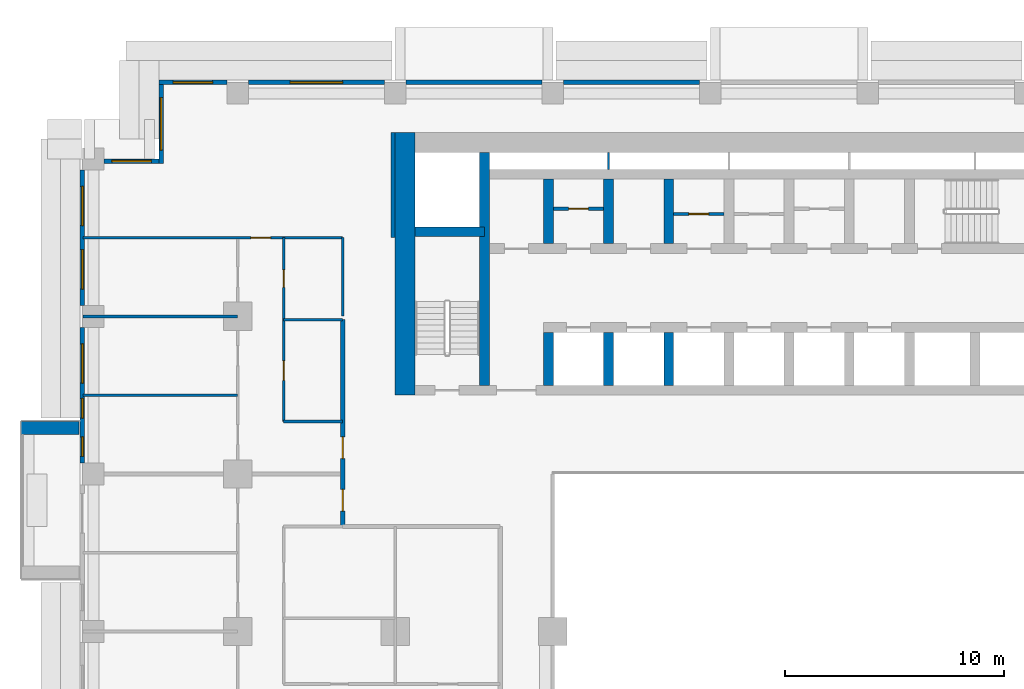
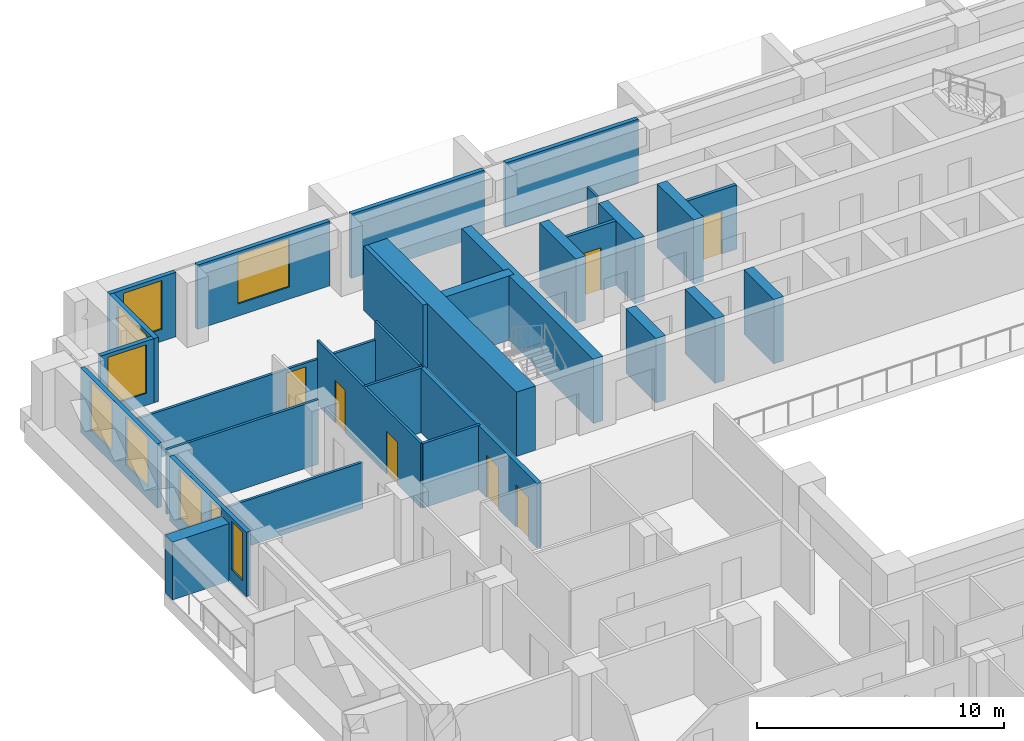
# One storey, part 9 of 17: 30 walls, 9 windows, 7 doors, 16 openings.
"""IFC4 building model written with IfcOpenShell, lengths in metres."""

from ifc_helpers import new_model, si_unit, direction, frame, frame_2d, origin, place, context, subcontext, project, spatial, rectangle, extrude, material, layer, layer_set, type_object, element, fill, save


model = new_model("IFC4")

# Units and contexts
model_context = context("Model", 3, precision=1e-05, world=origin(), true_north=direction((0.0, 1.0)))
body_context = subcontext(model_context, "Body", "Model", "MODEL_VIEW")
ifc_project = project(units=[si_unit("LENGTHUNIT", "METRE"), si_unit("AREAUNIT", "SQUARE_METRE"), si_unit("VOLUMEUNIT", "CUBIC_METRE"), si_unit("PLANEANGLEUNIT", "RADIAN"), si_unit("MASSUNIT", "GRAM", prefix="KILO")], contexts=[model_context])

# Site, building, storey
site_placement = place(None, origin())
site = spatial("IfcSite", under=ifc_project, at=site_placement, CompositionType="ELEMENT")
building_placement = place(site_placement, origin())
building = spatial("IfcBuilding", under=site, at=building_placement, Name="Saffron Iwan Residences", CompositionType="ELEMENT")
storey_placement = place(building_placement, frame((0.0, 0.0, 72.5)))
storey = spatial("IfcBuildingStorey", under=building, at=storey_placement, Name="L18", CompositionType="ELEMENT", Elevation=72.5)

# Wall
ifc_material_1 = material(Name="Concrete C50/60 white painted", Category="concrete")
ifc_layer_1 = layer(ifc_material_1, 0.60009765625)
ifc_layer_set_1 = layer_set([ifc_layer_1], Name="Concrete C50/60 white painted")
wall_type_1 = type_object("IfcWallType", Name="BALCONY FIN 600", PredefinedType="SOLIDWALL", material=ifc_layer_set_1)
wall_1_placement = place(storey_placement, frame((14.35009765625, 64.5, 0.0), z_axis=(0.0, 0.0, 1.0), x_axis=(-1.0, 0.0, 0.0)))
element("IfcWall", 1, at=wall_1_placement, inside=storey, type_object=wall_type_1, Name="Balcony fin L18 F8-0a", PredefinedType="SOLIDWALL", context=body_context, shape_type="SweptSolid", body=[
    extrude(rectangle(XDim=2.650146484375, YDim=0.60009765625, at=frame_2d((1.3251953125, 0.0))), origin(), (0.0, 0.0, 1.0), 2.85009765625),
])

# Wall, opening, door
ifc_material_2 = material(Name="Fire-rated plasterboard partition")
ifc_layer_2 = layer(ifc_material_2, 0.14990234375)
ifc_layer_set_2 = layer_set([ifc_layer_2], Name="Fire-rated plasterboard partition")
wall_type_2 = type_object("IfcWallType", Name="Core partition 150", PredefinedType="PARTITIONING", material=ifc_layer_set_2)
wall_2_placement = place(storey_placement, frame((36.02490234375, 74.51806640625, 0.0), z_axis=(0.0, 0.0, 1.0), x_axis=(1.0, 0.0, 0.0)))
wall_2 = element("IfcWall", 2, at=wall_2_placement, inside=storey, type_object=wall_type_2, Name="Core partition P01", PredefinedType="PARTITIONING", context=body_context, shape_type="SweptSolid", body=[
    extrude(rectangle(XDim=2.300048828125, YDim=0.14990234375, at=frame_2d((1.14990234375, 0.0))), origin(), (0.0, 0.0, 1.0), 3.179931640625),
])
opening_1_placement = place(wall_2_placement, frame((0.699951171875, 0.0, 0.0)))
opening_1 = element("IfcOpeningElement", 3, at=opening_1_placement, cuts=wall_2, Name="Opening SB", PredefinedType="OPENING", context=body_context, shape_type="SweptSolid", body=[
    extrude(rectangle(XDim=0.89990234375, YDim=2.10009765625, at=frame_2d((0.449951171875, 1.050048828125))), frame((0.0, 0.0849609375, 0.0), z_axis=(0.0, -1.0, 0.0), x_axis=(1.0, 0.0, 0.0)), (0.0, 0.0, 1.0), 0.169921875),
])
ifc_material_3 = material(Name="Steel fire door", Category="steel")
door_type_1 = type_object("IfcDoorType", Name="Store door 900", OperationType="NOTDEFINED", PredefinedType="DOOR", material=ifc_material_3)
door_1_placement = place(opening_1_placement, origin())
door_1 = element("IfcDoor", 4, at=door_1_placement, inside=storey, type_object=door_type_1, Name="Door Equipment store", OperationType="SINGLE_SWING_RIGHT", OverallHeight=2.10009765625, OverallWidth=0.89990234375, PredefinedType="DOOR", context=body_context, shape_type="SweptSolid", body=[
    extrude(rectangle(XDim=0.89990234375, YDim=2.10009765625, at=frame_2d((0.449951171875, 1.050048828125))), frame((0.0, 0.02490234375, 0.0), z_axis=(0.0, -1.0, 0.0), x_axis=(1.0, 0.0, 0.0)), (0.0, 0.0, 1.0), 0.050048828125),
])
fill(opening_1, door_1)

wall_3_placement = place(storey_placement, frame((41.52490234375, 74.281982421875, 0.0), z_axis=(0.0, 0.0, 1.0), x_axis=(1.0, 0.0, 0.0)))
wall_3 = element("IfcWall", 5, at=wall_3_placement, inside=storey, type_object=wall_type_2, Name="Core partition P02", PredefinedType="PARTITIONING", context=body_context, shape_type="SweptSolid", body=[
    extrude(rectangle(XDim=2.300048828125, YDim=0.14990234375, at=frame_2d((1.14990234375, 0.0))), origin(), (0.0, 0.0, 1.0), 3.179931640625),
])
opening_2_placement = place(wall_3_placement, frame((0.699951171875, 0.0, 0.0)))
opening_2 = element("IfcOpeningElement", 6, at=opening_2_placement, cuts=wall_3, Name="Opening SB", PredefinedType="OPENING", context=body_context, shape_type="SweptSolid", body=[
    extrude(rectangle(XDim=0.89990234375, YDim=2.10009765625, at=frame_2d((0.449951171875, 1.050048828125))), frame((0.0, 0.0849609375, 0.0), z_axis=(0.0, -1.0, 0.0), x_axis=(1.0, 0.0, 0.0)), (0.0, 0.0, 1.0), 0.169921875),
])
door_2_placement = place(opening_2_placement, origin())
door_2 = element("IfcDoor", 7, at=door_2_placement, inside=storey, type_object=door_type_1, Name="Door Spares store", OperationType="SINGLE_SWING_LEFT", OverallHeight=2.10009765625, OverallWidth=0.89990234375, PredefinedType="DOOR", context=body_context, shape_type="SweptSolid", body=[
    extrude(rectangle(XDim=0.89990234375, YDim=2.10009765625, at=frame_2d((0.449951171875, 1.050048828125))), frame((0.0, 0.02490234375, 0.0), z_axis=(0.0, -1.0, 0.0), x_axis=(1.0, 0.0, 0.0)), (0.0, 0.0, 1.0), 0.050048828125),
])
fill(opening_2, door_2)

# Walls
ifc_material_4 = material(Name="Concrete C40/50", Category="concrete")
ifc_layer_3 = layer(ifc_material_4, 0.199951171875)
ifc_layer_set_3 = layer_set([ifc_layer_3], Name="Concrete C40/50")
wall_type_3 = type_object("IfcWallType", Name="EXTERNAL WALL 200", PredefinedType="SOLIDWALL", material=ifc_layer_set_3)
for number, where, z_axis, x_axis, name in (
    (8, (42.699951171875, 80.300048828125, 0.0), (0.0, 0.0, 1.0), (-1.0, 0.0, 0.0), "External wall L18 F5.6"),
    (9, (35.5, 80.300048828125, 0.0), (0.0, 0.0, 1.0), (-1.0, 0.0, 0.0), "External wall L18 F5.7"),
):
    element("IfcWall", number, at=place(storey_placement, frame(where, z_axis=z_axis, x_axis=x_axis)), inside=storey, type_object=wall_type_3, Name=name, PredefinedType="SOLIDWALL", context=body_context, shape_type="SweptSolid", body=[
        extrude(rectangle(XDim=6.199951171875, YDim=0.199951171875, at=frame_2d((3.10009765625, 0.0))), origin(), (0.0, 0.0, 1.0), 3.179931640625),
    ])

# Wall, opening, window
wall_4_placement = place(storey_placement, frame((28.300048828125, 80.300048828125, 0.0), z_axis=(0.0, 0.0, 1.0), x_axis=(-1.0, 0.0, 0.0)))
wall_4 = element("IfcWall", 10, at=wall_4_placement, inside=storey, type_object=wall_type_3, Name="External wall L18 F5.8", PredefinedType="SOLIDWALL", context=body_context, shape_type="SweptSolid", body=[
    extrude(rectangle(XDim=6.199951171875, YDim=0.199951171875, at=frame_2d((3.10009765625, 0.0))), origin(), (0.0, 0.0, 1.0), 3.179931640625),
])
opening_3_placement = place(wall_4_placement, frame((1.89990234375, 0.0, 0.60009765625)))
opening_3 = element("IfcOpeningElement", 11, at=opening_3_placement, cuts=wall_4, Name="Opening W1", PredefinedType="OPENING", context=body_context, shape_type="SweptSolid", body=[
    extrude(rectangle(XDim=2.39990234375, YDim=2.39990234375, at=frame_2d((1.199951171875, 1.199951171875))), frame((0.0, 0.10986328125, 0.0), z_axis=(0.0, -1.0, 0.0), x_axis=(1.0, 0.0, 0.0)), (0.0, 0.0, 1.0), 0.219970703125),
])
ifc_material_5 = material(Name="Clear glass, laminated double glazed", Category="glass")
window_type_1 = type_object("IfcWindowType", Name="WINDOW 2400 x 2400", PartitioningType="DOUBLE_PANEL_VERTICAL", PredefinedType="WINDOW", material=ifc_material_5)
window_1_placement = place(opening_3_placement, origin())
window_1 = element("IfcWindow", 12, at=window_1_placement, inside=storey, type_object=window_type_1, Name="Window L18 F5.0", OverallHeight=2.39990234375, OverallWidth=2.39990234375, PartitioningType="DOUBLE_PANEL_VERTICAL", PredefinedType="WINDOW", context=body_context, shape_type="SweptSolid", body=[
    extrude(rectangle(XDim=2.39990234375, YDim=2.39990234375, at=frame_2d((1.199951171875, 1.199951171875))), frame((0.0, 0.030029296875, 0.0), z_axis=(0.0, -1.0, 0.0), x_axis=(1.0, 0.0, 0.0)), (0.0, 0.0, 1.0), 0.06005859375),
])
fill(opening_3, window_1)

wall_5_placement = place(storey_placement, frame((21.10009765625, 80.300048828125, 0.0), z_axis=(0.0, 0.0, 1.0), x_axis=(-1.0, 0.0, 0.0)))
wall_5 = element("IfcWall", 13, at=wall_5_placement, inside=storey, type_object=wall_type_3, Name="External wall L18 F5.9", PredefinedType="SOLIDWALL", context=body_context, shape_type="SweptSolid", body=[
    extrude(rectangle(XDim=3.10009765625, YDim=0.199951171875, at=frame_2d((1.550048828125, 0.0))), origin(), (0.0, 0.0, 1.0), 3.179931640625),
])
opening_4_placement = place(wall_5_placement, frame((0.64990234375, 0.0, 0.60009765625)))
opening_4 = element("IfcOpeningElement", 14, at=opening_4_placement, cuts=wall_5, Name="Opening W8", PredefinedType="OPENING", context=body_context, shape_type="SweptSolid", body=[
    extrude(rectangle(XDim=1.800048828125, YDim=2.39990234375, at=frame_2d((0.89990234375, 1.199951171875))), frame((0.0, 0.10986328125, 0.0), z_axis=(0.0, -1.0, 0.0), x_axis=(1.0, 0.0, 0.0)), (0.0, 0.0, 1.0), 0.219970703125),
])
window_type_2 = type_object("IfcWindowType", Name="WINDOW 1800 x 2400", PartitioningType="DOUBLE_PANEL_VERTICAL", PredefinedType="WINDOW", material=ifc_material_5)
window_2_placement = place(opening_4_placement, origin())
window_2 = element("IfcWindow", 15, at=window_2_placement, inside=storey, type_object=window_type_2, Name="Window L18 F5.0", OverallHeight=2.39990234375, OverallWidth=1.800048828125, PartitioningType="DOUBLE_PANEL_VERTICAL", PredefinedType="WINDOW", context=body_context, shape_type="SweptSolid", body=[
    extrude(rectangle(XDim=1.800048828125, YDim=2.39990234375, at=frame_2d((0.89990234375, 1.199951171875))), frame((0.0, 0.030029296875, 0.0), z_axis=(0.0, -1.0, 0.0), x_axis=(1.0, 0.0, 0.0)), (0.0, 0.0, 1.0), 0.06005859375),
])
fill(opening_4, window_2)

wall_6_placement = place(storey_placement, frame((18.10009765625, 80.199951171875, 0.0), z_axis=(0.0, 0.0, 1.0), x_axis=(0.0, -1.0, 0.0)))
wall_6 = element("IfcWall", 16, at=wall_6_placement, inside=storey, type_object=wall_type_3, Name="External wall L18 F6.0", PredefinedType="SOLIDWALL", context=body_context, shape_type="SweptSolid", body=[
    extrude(rectangle(XDim=3.599853515625, YDim=0.199951171875, at=frame_2d((1.7998046875, 0.0))), origin(), (0.0, 0.0, 1.0), 3.179931640625),
])
opening_5_placement = place(wall_6_placement, frame((0.60009765625, 0.0, 0.60009765625)))
opening_5 = element("IfcOpeningElement", 17, at=opening_5_placement, cuts=wall_6, Name="Opening W1", PredefinedType="OPENING", context=body_context, shape_type="SweptSolid", body=[
    extrude(rectangle(XDim=2.39990234375, YDim=2.39990234375, at=frame_2d((1.199951171875, 1.199951171875))), frame((0.0, 0.10986328125, 0.0), z_axis=(0.0, -1.0, 0.0), x_axis=(1.0, 0.0, 0.0)), (0.0, 0.0, 1.0), 0.219970703125),
])
window_3_placement = place(opening_5_placement, origin())
window_3 = element("IfcWindow", 18, at=window_3_placement, inside=storey, type_object=window_type_1, Name="Window L18 F6.0", OverallHeight=2.39990234375, OverallWidth=2.39990234375, PartitioningType="DOUBLE_PANEL_VERTICAL", PredefinedType="WINDOW", context=body_context, shape_type="SweptSolid", body=[
    extrude(rectangle(XDim=2.39990234375, YDim=2.39990234375, at=frame_2d((1.199951171875, 1.199951171875))), frame((0.0, 0.030029296875, 0.0), z_axis=(0.0, -1.0, 0.0), x_axis=(1.0, 0.0, 0.0)), (0.0, 0.0, 1.0), 0.06005859375),
])
fill(opening_5, window_3)

wall_7_placement = place(storey_placement, frame((18.0, 76.699951171875, 0.0), z_axis=(0.0, 0.0, 1.0), x_axis=(-1.0, 0.0, 0.0)))
wall_7 = element("IfcWall", 19, at=wall_7_placement, inside=storey, type_object=wall_type_3, Name="External wall L18 F7.0", PredefinedType="SOLIDWALL", context=body_context, shape_type="SweptSolid", body=[
    extrude(rectangle(XDim=2.5, YDim=0.199951171875, at=frame_2d((1.25, 0.0))), origin(), (0.0, 0.0, 1.0), 3.179931640625),
])
opening_6_placement = place(wall_7_placement, frame((0.35009765625, 0.0, 0.60009765625)))
opening_6 = element("IfcOpeningElement", 20, at=opening_6_placement, cuts=wall_7, Name="Opening W8", PredefinedType="OPENING", context=body_context, shape_type="SweptSolid", body=[
    extrude(rectangle(XDim=1.800048828125, YDim=2.39990234375, at=frame_2d((0.89990234375, 1.199951171875))), frame((0.0, 0.10986328125, 0.0), z_axis=(0.0, -1.0, 0.0), x_axis=(1.0, 0.0, 0.0)), (0.0, 0.0, 1.0), 0.219970703125),
])
window_4_placement = place(opening_6_placement, origin())
window_4 = element("IfcWindow", 21, at=window_4_placement, inside=storey, type_object=window_type_2, Name="Window L18 F7.0", OverallHeight=2.39990234375, OverallWidth=1.800048828125, PartitioningType="DOUBLE_PANEL_VERTICAL", PredefinedType="WINDOW", context=body_context, shape_type="SweptSolid", body=[
    extrude(rectangle(XDim=1.800048828125, YDim=2.39990234375, at=frame_2d((0.89990234375, 1.199951171875))), frame((0.0, 0.030029296875, 0.0), z_axis=(0.0, -1.0, 0.0), x_axis=(1.0, 0.0, 0.0)), (0.0, 0.0, 1.0), 0.06005859375),
])
fill(opening_6, window_4)

# Wall, openings, windows
wall_8_placement = place(storey_placement, frame((14.5, 76.300048828125, 0.0), z_axis=(0.0, 0.0, 1.0), x_axis=(0.0, -1.0, 0.0)))
wall_8 = element("IfcWall", 22, at=wall_8_placement, inside=storey, type_object=wall_type_3, Name="External wall L18 F8.0", PredefinedType="SOLIDWALL", context=body_context, shape_type="SweptSolid", body=[
    extrude(rectangle(XDim=6.199951171875, YDim=0.199951171875, at=frame_2d((3.10009765625, 0.0))), origin(), (0.0, 0.0, 1.0), 3.179931640625),
])
opening_7_placement = place(wall_8_placement, frame((3.64990234375, 0.0, 0.60009765625)))
opening_7 = element("IfcOpeningElement", 23, at=opening_7_placement, cuts=wall_8, Name="Opening W8", PredefinedType="OPENING", context=body_context, shape_type="SweptSolid", body=[
    extrude(rectangle(XDim=1.800048828125, YDim=2.39990234375, at=frame_2d((0.89990234375, 1.199951171875))), frame((0.0, 0.10986328125, 0.0), z_axis=(0.0, -1.0, 0.0), x_axis=(1.0, 0.0, 0.0)), (0.0, 0.0, 1.0), 0.219970703125),
])
opening_8_placement = place(wall_8_placement, frame((0.75, 0.0, 0.60009765625)))
opening_8 = element("IfcOpeningElement", 24, at=opening_8_placement, cuts=wall_8, Name="Opening W8", PredefinedType="OPENING", context=body_context, shape_type="SweptSolid", body=[
    extrude(rectangle(XDim=1.800048828125, YDim=2.39990234375, at=frame_2d((0.89990234375, 1.199951171875))), frame((0.0, 0.10986328125, 0.0), z_axis=(0.0, -1.0, 0.0), x_axis=(1.0, 0.0, 0.0)), (0.0, 0.0, 1.0), 0.219970703125),
])
window_5_placement = place(opening_7_placement, origin())
window_5 = element("IfcWindow", 25, at=window_5_placement, inside=storey, type_object=window_type_2, Name="Window L18 F8.0", OverallHeight=2.39990234375, OverallWidth=1.800048828125, PartitioningType="DOUBLE_PANEL_VERTICAL", PredefinedType="WINDOW", context=body_context, shape_type="SweptSolid", body=[
    extrude(rectangle(XDim=1.800048828125, YDim=2.39990234375, at=frame_2d((0.89990234375, 1.199951171875))), frame((0.0, 0.030029296875, 0.0), z_axis=(0.0, -1.0, 0.0), x_axis=(1.0, 0.0, 0.0)), (0.0, 0.0, 1.0), 0.06005859375),
])
fill(opening_7, window_5)
window_6_placement = place(opening_8_placement, origin())
window_6 = element("IfcWindow", 26, at=window_6_placement, inside=storey, type_object=window_type_2, Name="Window L18 F8.1", OverallHeight=2.39990234375, OverallWidth=1.800048828125, PartitioningType="DOUBLE_PANEL_VERTICAL", PredefinedType="WINDOW", context=body_context, shape_type="SweptSolid", body=[
    extrude(rectangle(XDim=1.800048828125, YDim=2.39990234375, at=frame_2d((0.89990234375, 1.199951171875))), frame((0.0, 0.030029296875, 0.0), z_axis=(0.0, -1.0, 0.0), x_axis=(1.0, 0.0, 0.0)), (0.0, 0.0, 1.0), 0.06005859375),
])
fill(opening_8, window_6)

wall_9_placement = place(storey_placement, frame((14.5, 69.10009765625, 0.0), z_axis=(0.0, 0.0, 1.0), x_axis=(0.0, -1.0, 0.0)))
wall_9 = element("IfcWall", 27, at=wall_9_placement, inside=storey, type_object=wall_type_3, Name="External wall L18 F8.1", PredefinedType="SOLIDWALL", context=body_context, shape_type="SweptSolid", body=[
    extrude(rectangle(XDim=6.2001953125, YDim=0.199951171875, at=frame_2d((3.10009765625, 0.0))), origin(), (0.0, 0.0, 1.0), 3.179931640625),
])
opening_9_placement = place(wall_9_placement, frame((3.25, 0.0, 0.60009765625)))
opening_9 = element("IfcOpeningElement", 28, at=opening_9_placement, cuts=wall_9, Name="Opening W10", PredefinedType="OPENING", context=body_context, shape_type="SweptSolid", body=[
    extrude(rectangle(XDim=0.89990234375, YDim=2.39990234375, at=frame_2d((0.449951171875, 1.199951171875))), frame((0.0, 0.10986328125, 0.0), z_axis=(0.0, -1.0, 0.0), x_axis=(1.0, 0.0, 0.0)), (0.0, 0.0, 1.0), 0.219970703125),
])
opening_10_placement = place(wall_9_placement, frame((5.0, 0.0, 0.60009765625)))
opening_10 = element("IfcOpeningElement", 29, at=opening_10_placement, cuts=wall_9, Name="Opening W10", PredefinedType="OPENING", context=body_context, shape_type="SweptSolid", body=[
    extrude(rectangle(XDim=0.89990234375, YDim=2.39990234375, at=frame_2d((0.449951171875, 1.199951171875))), frame((0.0, 0.10986328125, 0.0), z_axis=(0.0, -1.0, 0.0), x_axis=(1.0, 0.0, 0.0)), (0.0, 0.0, 1.0), 0.219970703125),
])
opening_11_placement = place(wall_9_placement, frame((0.75, 0.0, 0.60009765625)))
opening_11 = element("IfcOpeningElement", 30, at=opening_11_placement, cuts=wall_9, Name="Opening W8", PredefinedType="OPENING", context=body_context, shape_type="SweptSolid", body=[
    extrude(rectangle(XDim=1.800048828125, YDim=2.39990234375, at=frame_2d((0.89990234375, 1.199951171875))), frame((0.0, 0.10986328125, 0.0), z_axis=(0.0, -1.0, 0.0), x_axis=(1.0, 0.0, 0.0)), (0.0, 0.0, 1.0), 0.219970703125),
])
window_7_placement = place(opening_11_placement, origin())
window_7 = element("IfcWindow", 31, at=window_7_placement, inside=storey, type_object=window_type_2, Name="Window L18 F8.2", OverallHeight=2.39990234375, OverallWidth=1.800048828125, PartitioningType="DOUBLE_PANEL_VERTICAL", PredefinedType="WINDOW", context=body_context, shape_type="SweptSolid", body=[
    extrude(rectangle(XDim=1.800048828125, YDim=2.39990234375, at=frame_2d((0.89990234375, 1.199951171875))), frame((0.0, 0.030029296875, 0.0), z_axis=(0.0, -1.0, 0.0), x_axis=(1.0, 0.0, 0.0)), (0.0, 0.0, 1.0), 0.06005859375),
])
fill(opening_11, window_7)
window_type_3 = type_object("IfcWindowType", Name="WINDOW 900 x 2400", PartitioningType="SINGLE_PANEL", PredefinedType="WINDOW", material=ifc_material_5)
window_8_placement = place(opening_9_placement, origin())
window_8 = element("IfcWindow", 32, at=window_8_placement, inside=storey, type_object=window_type_3, Name="Window L18 F8.0", OverallHeight=2.39990234375, OverallWidth=0.89990234375, PartitioningType="SINGLE_PANEL", PredefinedType="WINDOW", context=body_context, shape_type="SweptSolid", body=[
    extrude(rectangle(XDim=0.89990234375, YDim=2.39990234375, at=frame_2d((0.449951171875, 1.199951171875))), frame((0.0, 0.030029296875, 0.0), z_axis=(0.0, -1.0, 0.0), x_axis=(1.0, 0.0, 0.0)), (0.0, 0.0, 1.0), 0.06005859375),
])
fill(opening_9, window_8)
window_9_placement = place(opening_10_placement, origin())
window_9 = element("IfcWindow", 33, at=window_9_placement, inside=storey, type_object=window_type_3, Name="Window L18 F8.1", OverallHeight=2.39990234375, OverallWidth=0.89990234375, PartitioningType="SINGLE_PANEL", PredefinedType="WINDOW", context=body_context, shape_type="SweptSolid", body=[
    extrude(rectangle(XDim=0.89990234375, YDim=2.39990234375, at=frame_2d((0.449951171875, 1.199951171875))), frame((0.0, 0.030029296875, 0.0), z_axis=(0.0, -1.0, 0.0), x_axis=(1.0, 0.0, 0.0)), (0.0, 0.0, 1.0), 0.06005859375),
])
fill(opening_10, window_9)

# Walls
ifc_material_6 = material(Name="Gypsum board partition")
ifc_layer_4 = layer(ifc_material_6, 0.1201171875)
ifc_layer_set_4 = layer_set([ifc_layer_4], Name="Gypsum board partition")
wall_type_4 = type_object("IfcWallType", Name="Flat partition 120", PredefinedType="PARTITIONING", material=ifc_layer_set_4)
wall_10_placement = place(storey_placement, frame((23.699951171875, 64.800048828125, 0.0), z_axis=(0.0, 0.0, 1.0), x_axis=(1.0, 0.0, 0.0)))
element("IfcWall", 34, at=wall_10_placement, inside=storey, type_object=wall_type_4, Name="W-L18-PART-h64.8-23.7", PredefinedType="PARTITIONING", context=body_context, shape_type="SweptSolid", body=[
    extrude(rectangle(XDim=2.699951171875, YDim=0.1201171875, at=frame_2d((1.35009765625, 0.0))), origin(), (0.0, 0.0, 1.0), 3.179931640625),
])
wall_11_placement = place(storey_placement, frame((14.52490234375, 66.0, 0.0), z_axis=(0.0, 0.0, 1.0), x_axis=(1.0, 0.0, 0.0)))
element("IfcWall", 35, at=wall_11_placement, inside=storey, type_object=wall_type_4, Name="W-L18-PART-h66-14.525", PredefinedType="PARTITIONING", context=body_context, shape_type="SweptSolid", body=[
    extrude(rectangle(XDim=7.0751953125, YDim=0.1201171875, at=frame_2d((3.53759765625, 0.0))), origin(), (0.0, 0.0, 1.0), 2.280029296875),
])
wall_12_placement = place(storey_placement, frame((23.699951171875, 69.449951171875, 0.0), z_axis=(0.0, 0.0, 1.0), x_axis=(1.0, 0.0, 0.0)))
element("IfcWall", 36, at=wall_12_placement, inside=storey, type_object=wall_type_4, Name="W-L18-PART-h69.45-23.7", PredefinedType="PARTITIONING", context=body_context, shape_type="SweptSolid", body=[
    extrude(rectangle(XDim=2.699951171875, YDim=0.1201171875, at=frame_2d((1.35009765625, 0.0))), origin(), (0.0, 0.0, 1.0), 3.179931640625),
])
wall_13_placement = place(storey_placement, frame((14.52490234375, 69.60009765625, 0.0), z_axis=(0.0, 0.0, 1.0), x_axis=(1.0, 0.0, 0.0)))
element("IfcWall", 37, at=wall_13_placement, inside=storey, type_object=wall_type_4, Name="W-L18-PART-h69.6-14.525", PredefinedType="PARTITIONING", context=body_context, shape_type="SweptSolid", body=[
    extrude(rectangle(XDim=7.0751953125, YDim=0.1201171875, at=frame_2d((3.53759765625, 0.0))), origin(), (0.0, 0.0, 1.0), 3.179931640625),
])

# Wall, opening, door
wall_14_placement = place(storey_placement, frame((14.52490234375, 73.199951171875, 0.0), z_axis=(0.0, 0.0, 1.0), x_axis=(1.0, 0.0, 0.0)))
wall_14 = element("IfcWall", 38, at=wall_14_placement, inside=storey, type_object=wall_type_4, Name="W-L18-PART-h73.2-14.525", PredefinedType="PARTITIONING", context=body_context, shape_type="SweptSolid", body=[
    extrude(rectangle(XDim=11.875, YDim=0.1201171875, at=frame_2d((5.9375, 0.0))), origin(), (0.0, 0.0, 1.0), 2.280029296875),
])
opening_12_placement = place(wall_14_placement, frame((7.675048828125, 0.0, 0.0)))
opening_12 = element("IfcOpeningElement", 39, at=opening_12_placement, cuts=wall_14, Name="Opening FD2", PredefinedType="OPENING", context=body_context, shape_type="SweptSolid", body=[
    extrude(rectangle(XDim=0.89990234375, YDim=2.10009765625, at=frame_2d((0.449951171875, 1.050048828125))), frame((0.0, 0.070068359375, 0.0), z_axis=(0.0, -1.0, 0.0), x_axis=(1.0, 0.0, 0.0)), (0.0, 0.0, 1.0), 0.14013671875),
])
ifc_material_7 = material(Name="Timber door", Category="wood")
door_type_2 = type_object("IfcDoorType", Name="Flat door 900", OperationType="NOTDEFINED", PredefinedType="DOOR", material=ifc_material_7)
door_3_placement = place(opening_12_placement, origin())
door_3 = element("IfcDoor", 40, at=door_3_placement, inside=storey, type_object=door_type_2, Name="Door L18-033", OperationType="SINGLE_SWING_LEFT", OverallHeight=2.10009765625, OverallWidth=0.89990234375, PredefinedType="DOOR", context=body_context, shape_type="SweptSolid", body=[
    extrude(rectangle(XDim=0.89990234375, YDim=2.10009765625, at=frame_2d((0.449951171875, 1.050048828125))), frame((0.0, 0.02490234375, 0.0), z_axis=(0.0, -1.0, 0.0), x_axis=(1.0, 0.0, 0.0)), (0.0, 0.0, 1.0), 0.050048828125),
])
fill(opening_12, door_3)

# Wall, openings, doors
wall_15_placement = place(storey_placement, frame((23.699951171875, 64.800048828125, 0.0), z_axis=(0.0, 0.0, 1.0), x_axis=(0.0, 1.0, 0.0)))
wall_15 = element("IfcWall", 41, at=wall_15_placement, inside=storey, type_object=wall_type_4, Name="W-L18-PART-v23.7-64.8", PredefinedType="PARTITIONING", context=body_context, shape_type="SweptSolid", body=[
    extrude(rectangle(XDim=8.39990234375, YDim=0.1201171875, at=frame_2d((4.199951171875, 0.0))), origin(), (0.0, 0.0, 1.0), 3.179931640625),
])
opening_13_placement = place(wall_15_placement, frame((1.875, 0.0, 0.0)))
opening_13 = element("IfcOpeningElement", 42, at=opening_13_placement, cuts=wall_15, Name="Opening FD2", PredefinedType="OPENING", context=body_context, shape_type="SweptSolid", body=[
    extrude(rectangle(XDim=0.89990234375, YDim=2.10009765625, at=frame_2d((0.449951171875, 1.050048828125))), frame((0.0, 0.070068359375, 0.0), z_axis=(0.0, -1.0, 0.0), x_axis=(1.0, 0.0, 0.0)), (0.0, 0.0, 1.0), 0.14013671875),
])
opening_14_placement = place(wall_15_placement, frame((6.125, 0.0, 0.0)))
opening_14 = element("IfcOpeningElement", 43, at=opening_14_placement, cuts=wall_15, Name="Opening FD3", PredefinedType="OPENING", context=body_context, shape_type="SweptSolid", body=[
    extrude(rectangle(XDim=0.800048828125, YDim=2.10009765625, at=frame_2d((0.39990234375, 1.050048828125))), frame((0.0, 0.070068359375, 0.0), z_axis=(0.0, -1.0, 0.0), x_axis=(1.0, 0.0, 0.0)), (0.0, 0.0, 1.0), 0.14013671875),
])
door_type_3 = type_object("IfcDoorType", Name="Bathroom door 800", OperationType="NOTDEFINED", PredefinedType="DOOR", material=ifc_material_7)
door_4_placement = place(opening_14_placement, origin())
door_4 = element("IfcDoor", 44, at=door_4_placement, inside=storey, type_object=door_type_3, Name="Door L18-035", OperationType="SINGLE_SWING_LEFT", OverallHeight=2.10009765625, OverallWidth=0.800048828125, PredefinedType="DOOR", context=body_context, shape_type="SweptSolid", body=[
    extrude(rectangle(XDim=0.800048828125, YDim=2.10009765625, at=frame_2d((0.39990234375, 1.050048828125))), frame((0.0, 0.02490234375, 0.0), z_axis=(0.0, -1.0, 0.0), x_axis=(1.0, 0.0, 0.0)), (0.0, 0.0, 1.0), 0.050048828125),
])
fill(opening_14, door_4)
door_5_placement = place(opening_13_placement, origin())
door_5 = element("IfcDoor", 45, at=door_5_placement, inside=storey, type_object=door_type_2, Name="Door L18-034", OperationType="SINGLE_SWING_RIGHT", OverallHeight=2.10009765625, OverallWidth=0.89990234375, PredefinedType="DOOR", context=body_context, shape_type="SweptSolid", body=[
    extrude(rectangle(XDim=0.89990234375, YDim=2.10009765625, at=frame_2d((0.449951171875, 1.050048828125))), frame((0.0, 0.02490234375, 0.0), z_axis=(0.0, -1.0, 0.0), x_axis=(1.0, 0.0, 0.0)), (0.0, 0.0, 1.0), 0.050048828125),
])
fill(opening_13, door_5)

# Wall
wall_16_placement = place(storey_placement, frame((26.39990234375, 69.6201171875, 0.0), z_axis=(0.0, 0.0, 1.0), x_axis=(0.0, 1.0, 0.0)))
element("IfcWall", 46, at=wall_16_placement, inside=storey, type_object=wall_type_4, Name="W-L18-PART-v26.4-69.62", PredefinedType="PARTITIONING", context=body_context, shape_type="SweptSolid", body=[
    extrude(rectangle(XDim=3.579833984375, YDim=0.1201171875, at=frame_2d((1.7900390625, 0.0))), origin(), (0.0, 0.0, 1.0), 3.179931640625),
])

# Wall, openings, doors
ifc_material_8 = material(Name="Fire-rated gypsum board wall")
ifc_layer_5 = layer(ifc_material_8, 0.199951171875)
ifc_layer_set_5 = layer_set([ifc_layer_5], Name="Fire-rated gypsum board wall")
wall_type_5 = type_object("IfcWallType", Name="Gallery wall 200", PredefinedType="SOLIDWALL", material=ifc_layer_set_5)
wall_17_placement = place(storey_placement, frame((26.39990234375, 60.0, 0.0), z_axis=(0.0, 0.0, 1.0), x_axis=(0.0, 1.0, 0.0)))
wall_17 = element("IfcWall", 47, at=wall_17_placement, inside=storey, type_object=wall_type_5, Name="W-L18-CORR-v26.4-60", PredefinedType="SOLIDWALL", context=body_context, shape_type="SweptSolid", body=[
    extrude(rectangle(XDim=9.449951171875, YDim=0.199951171875, at=frame_2d((4.72509765625, 0.0))), origin(), (0.0, 0.0, 1.0), 3.179931640625),
])
opening_15_placement = place(wall_17_placement, frame((0.699951171875, 0.0, 0.0)))
opening_15 = element("IfcOpeningElement", 48, at=opening_15_placement, cuts=wall_17, Name="Opening FD1", PredefinedType="OPENING", context=body_context, shape_type="SweptSolid", body=[
    extrude(rectangle(XDim=1.0, YDim=2.10009765625, at=frame_2d((0.5, 1.050048828125))), frame((0.0, 0.10986328125, 0.0), z_axis=(0.0, -1.0, 0.0), x_axis=(1.0, 0.0, 0.0)), (0.0, 0.0, 1.0), 0.219970703125),
])
opening_16_placement = place(wall_17_placement, frame((3.10009765625, 0.0, 0.0)))
opening_16 = element("IfcOpeningElement", 49, at=opening_16_placement, cuts=wall_17, Name="Opening FD1", PredefinedType="OPENING", context=body_context, shape_type="SweptSolid", body=[
    extrude(rectangle(XDim=1.0, YDim=2.10009765625, at=frame_2d((0.5, 1.050048828125))), frame((0.0, 0.10986328125, 0.0), z_axis=(0.0, -1.0, 0.0), x_axis=(1.0, 0.0, 0.0)), (0.0, 0.0, 1.0), 0.219970703125),
])
ifc_material_9 = material(Name="Fire-rated timber door", Category="wood")
door_type_4 = type_object("IfcDoorType", Name="FD30S flat entrance door 1000", OperationType="NOTDEFINED", PredefinedType="DOOR", material=ifc_material_9)
door_6_placement = place(opening_15_placement, origin())
door_6 = element("IfcDoor", 50, at=door_6_placement, inside=storey, type_object=door_type_4, Name="Door L18-013", OperationType="SINGLE_SWING_RIGHT", OverallHeight=2.10009765625, OverallWidth=1.0, PredefinedType="DOOR", context=body_context, shape_type="SweptSolid", body=[
    extrude(rectangle(XDim=1.0, YDim=2.10009765625, at=frame_2d((0.5, 1.050048828125))), frame((0.0, 0.02490234375, 0.0), z_axis=(0.0, -1.0, 0.0), x_axis=(1.0, 0.0, 0.0)), (0.0, 0.0, 1.0), 0.050048828125),
])
fill(opening_15, door_6)
door_7_placement = place(opening_16_placement, origin())
door_7 = element("IfcDoor", 51, at=door_7_placement, inside=storey, type_object=door_type_4, Name="Door L18-029", OperationType="SINGLE_SWING_LEFT", OverallHeight=2.10009765625, OverallWidth=1.0, PredefinedType="DOOR", context=body_context, shape_type="SweptSolid", body=[
    extrude(rectangle(XDim=1.0, YDim=2.10009765625, at=frame_2d((0.5, 1.050048828125))), frame((0.0, 0.02490234375, 0.0), z_axis=(0.0, -1.0, 0.0), x_axis=(1.0, 0.0, 0.0)), (0.0, 0.0, 1.0), 0.050048828125),
])
fill(opening_16, door_7)

# Walls
wall_18_placement = place(storey_placement, frame((28.699951171875, 73.199951171875, 0.0), z_axis=(0.0, 0.0, 1.0), x_axis=(0.0, 1.0, 0.0)))
element("IfcWall", 52, at=wall_18_placement, inside=storey, type_object=wall_type_5, Name="W-L18-CORR-v28.8-73.2", PredefinedType="SOLIDWALL", context=body_context, shape_type="SweptSolid", body=[
    extrude(rectangle(XDim=4.800048828125, YDim=0.199951171875, at=frame_2d((2.39990234375, 0.0))), origin(), (0.0, 0.0, 1.0), 3.179931640625),
])
ifc_layer_6 = layer(ifc_material_2, 0.10009765625)
ifc_layer_set_6 = layer_set([ifc_layer_6], Name="Fire-rated plasterboard partition")
wall_type_6 = type_object("IfcWallType", Name="Riser partition 100", PredefinedType="PARTITIONING", material=ifc_layer_set_6)
wall_19_placement = place(storey_placement, frame((38.550048828125, 76.324951171875, 0.0), z_axis=(0.0, 0.0, 1.0), x_axis=(0.0, 1.0, 0.0)))
element("IfcWall", 53, at=wall_19_placement, inside=storey, type_object=wall_type_6, Name="Core partition P05", PredefinedType="PARTITIONING", context=body_context, shape_type="SweptSolid", body=[
    extrude(rectangle(XDim=0.775146484375, YDim=0.10009765625, at=frame_2d((0.3876953125, 0.0))), origin(), (0.0, 0.0, 1.0), 3.179931640625),
])
ifc_material_10 = material(Name="Concrete C60/75", Category="concrete")
ifc_layer_7 = layer(ifc_material_10, 0.449951171875)
ifc_layer_set_7 = layer_set([ifc_layer_7], Name="Concrete C60/75")
wall_type_7 = type_object("IfcWallType", Name="WALL CORE 450 C60/75 3180 HIGH", PredefinedType="SHEAR", material=ifc_layer_set_7)
wall_20_placement = place(storey_placement, frame((29.699951171875, 73.47509765625, 0.0), z_axis=(0.0, 0.0, 1.0), x_axis=(1.0, 0.0, 0.0)))
element("IfcWall", 54, at=wall_20_placement, inside=storey, type_object=wall_type_7, Name="Core wall", PredefinedType="SHEAR", context=body_context, shape_type="SweptSolid", body=[
    extrude(rectangle(XDim=3.175048828125, YDim=0.449951171875, at=frame_2d((1.58740234375, 0.0))), origin(), (0.0, 0.0, 1.0), 3.179931640625),
])
wall_21_placement = place(storey_placement, frame((32.875, 66.449951171875, 0.0), z_axis=(0.0, 0.0, 1.0), x_axis=(0.0, 1.0, 0.0)))
element("IfcWall", 55, at=wall_21_placement, inside=storey, type_object=wall_type_7, Name="Core wall", PredefinedType="SHEAR", context=body_context, shape_type="SweptSolid", body=[
    extrude(rectangle(XDim=10.650146484375, YDim=0.449951171875, at=frame_2d((5.3251953125, 0.0))), origin(), (0.0, 0.0, 1.0), 3.179931640625),
])
for number, where, z_axis, x_axis, name in (
    (56, (35.800048828125, 66.449951171875, 0.0), (0.0, 0.0, 1.0), (0.0, 1.0, 0.0), "Core wall"),
    (57, (38.550048828125, 66.449951171875, 0.0), (0.0, 0.0, 1.0), (0.0, 1.0, 0.0), "Core wall"),
    (58, (41.300048828125, 66.449951171875, 0.0), (0.0, 0.0, 1.0), (0.0, 1.0, 0.0), "Core wall"),
):
    element("IfcWall", number, at=place(storey_placement, frame(where, z_axis=z_axis, x_axis=x_axis)), inside=storey, type_object=wall_type_7, Name=name, PredefinedType="SHEAR", context=body_context, shape_type="SweptSolid", body=[
        extrude(rectangle(XDim=2.425048828125, YDim=0.449951171875, at=frame_2d((1.21240234375, 0.0))), origin(), (0.0, 0.0, 1.0), 3.179931640625),
    ])
for number, where, z_axis, x_axis, name in (
    (59, (35.800048828125, 72.925048828125, 0.0), (0.0, 0.0, 1.0), (0.0, 1.0, 0.0), "Core wall"),
    (60, (38.550048828125, 72.925048828125, 0.0), (0.0, 0.0, 1.0), (0.0, 1.0, 0.0), "Core wall"),
    (61, (41.300048828125, 72.925048828125, 0.0), (0.0, 0.0, 1.0), (0.0, 1.0, 0.0), "Core wall"),
):
    element("IfcWall", number, at=place(storey_placement, frame(where, z_axis=z_axis, x_axis=x_axis)), inside=storey, type_object=wall_type_7, Name=name, PredefinedType="SHEAR", context=body_context, shape_type="SweptSolid", body=[
        extrude(rectangle(XDim=2.949951171875, YDim=0.449951171875, at=frame_2d((1.47509765625, 0.0))), origin(), (0.0, 0.0, 1.0), 3.179931640625),
    ])
ifc_layer_8 = layer(ifc_material_10, 0.89990234375)
ifc_layer_set_8 = layer_set([ifc_layer_8], Name="Concrete C60/75")
wall_type_8 = type_object("IfcWallType", Name="WALL CORE 900 C60/75 3180 HIGH", PredefinedType="SHEAR", material=ifc_layer_set_8)
wall_22_placement = place(storey_placement, frame((29.25, 66.0, 0.0), z_axis=(0.0, 0.0, 1.0), x_axis=(0.0, 1.0, 0.0)))
element("IfcWall", 62, at=wall_22_placement, inside=storey, type_object=wall_type_8, Name="Core wall", PredefinedType="SHEAR", context=body_context, shape_type="SweptSolid", body=[
    extrude(rectangle(XDim=12.0, YDim=0.89990234375, at=frame_2d((6.0, 0.0))), origin(), (0.0, 0.0, 1.0), 3.179931640625),
])

save(model, "model.ifc")
